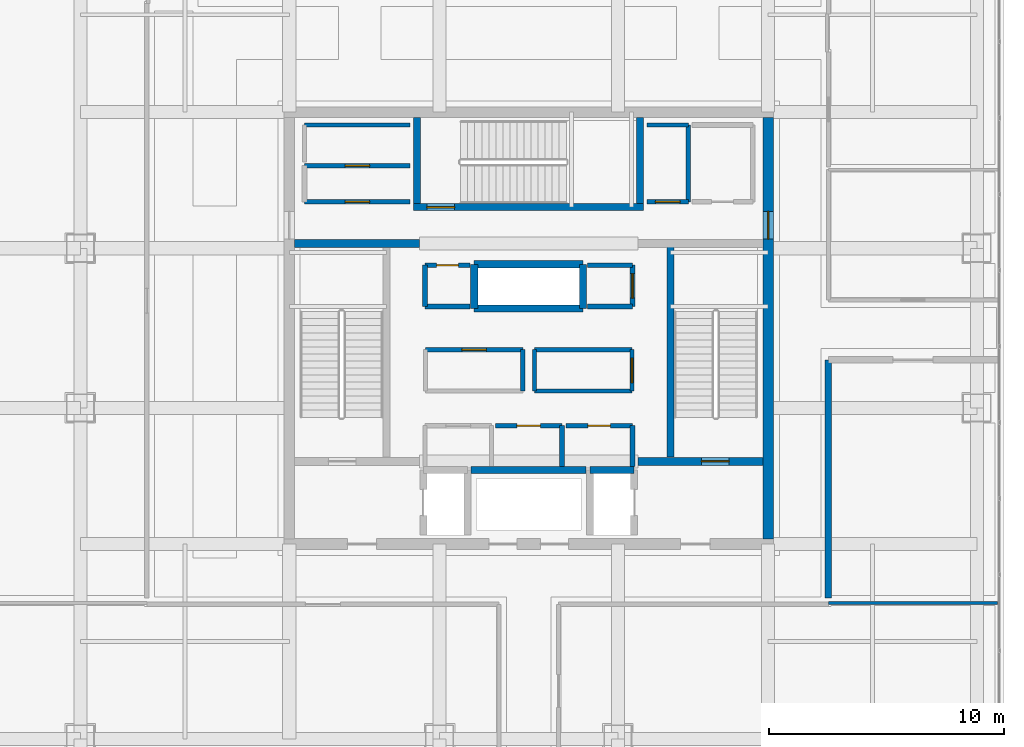
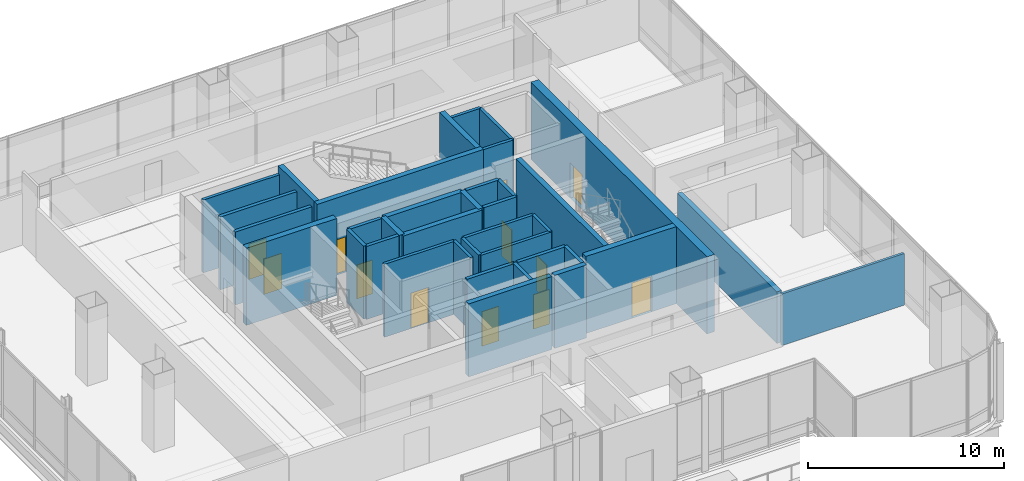
# One storey, part 37 of 44: 37 walls, 12 doors, 12 openings.
"""IFC4 building model written with IfcOpenShell, lengths in metres."""

from ifc_helpers import new_model, si_unit, direction, frame, frame_2d, origin, place, context, subcontext, project, spatial, rectangle, extrude, material, layer, layer_set, type_object, element, fill, save


model = new_model("IFC4")

# Units and contexts
model_context = context("Model", 3, precision=1e-05, world=origin(), true_north=direction((0.0, 1.0)))
body_context = subcontext(model_context, "Body", "Model", "MODEL_VIEW")
ifc_project = project(units=[si_unit("LENGTHUNIT", "METRE"), si_unit("AREAUNIT", "SQUARE_METRE"), si_unit("VOLUMEUNIT", "CUBIC_METRE"), si_unit("PLANEANGLEUNIT", "RADIAN"), si_unit("MASSUNIT", "GRAM", prefix="KILO")], contexts=[model_context])

# Site, building, storey
site_placement = place(None, origin())
site = spatial("IfcSite", under=ifc_project, at=site_placement, CompositionType="ELEMENT")
building_placement = place(site_placement, origin())
building = spatial("IfcBuilding", under=site, at=building_placement, Name="Punatoya Terracotta Tower", CompositionType="ELEMENT")
storey_placement = place(building_placement, frame((0.0, 0.0, 334.199951171875)))
storey = spatial("IfcBuildingStorey", under=building, at=storey_placement, Name="L79", CompositionType="ELEMENT", Elevation=334.199951171875)

# Wall
ifc_material_1 = material(Name="Concrete C40/50", Category="concrete")
ifc_layer_1 = layer(ifc_material_1, 0.280029296875)
ifc_layer_set_1 = layer_set([ifc_layer_1], Name="Concrete C40/50")
wall_type_1 = type_object("IfcWallType", Name="WL-AUD-280", PredefinedType="SOLIDWALL", material=ifc_layer_set_1)
wall_1_placement = place(storey_placement, frame((12.77001953125, -11.489990234375, 0.0), z_axis=(0.0, 0.0, 1.0), x_axis=(0.0, 1.0, 0.0)))
element("IfcWall", 1, at=wall_1_placement, inside=storey, type_object=wall_type_1, Name="L79 Open-Plan Visitors' Sky Cafe and Bistro Partition 40", PredefinedType="SOLIDWALL", context=body_context, shape_type="SweptSolid", body=[
    extrude(rectangle(XDim=10.139892578125, YDim=0.280029296875, at=frame_2d((5.06982421875, 0.0))), origin(), (0.0, 0.0, 1.0), 3.214111328125),
])

# Wall, opening, door
ifc_material_2 = material(Name="Concrete C50/60", Category="concrete")
ifc_layer_2 = layer(ifc_material_2, 0.449951171875)
ifc_layer_set_2 = layer_set([ifc_layer_2], Name="Concrete C50/60")
wall_type_2 = type_object("IfcWallType", Name="WL-COR-450", PredefinedType="SHEAR", material=ifc_layer_set_2)
wall_2_placement = place(storey_placement, frame((10.199951171875, 8.97509765625, 0.0), z_axis=(0.0, 0.0, 1.0), x_axis=(0.0, -1.0, 0.0)))
wall_2 = element("IfcWall", 2, at=wall_2_placement, inside=storey, type_object=wall_type_2, Name="L79 Core Shear Wall E", PredefinedType="SHEAR", context=body_context, shape_type="SweptSolid", body=[
    extrude(rectangle(XDim=17.9501953125, YDim=0.449951171875, at=frame_2d((8.97509765625, 0.0))), origin(), (0.0, 0.0, 1.0), 4.800048828125),
])
opening_1_placement = place(wall_2_placement, frame((4.0048828125, 0.0, 0.0)))
opening_1 = element("IfcOpeningElement", 3, at=opening_1_placement, cuts=wall_2, Name="Opening SD-01", PredefinedType="OPENING", context=body_context, shape_type="SweptSolid", body=[
    extrude(rectangle(XDim=1.179931640625, YDim=2.199951171875, at=frame_2d((0.58984375, 1.10009765625))), frame((0.0, 0.23486328125, 0.0), z_axis=(0.0, -1.0, 0.0), x_axis=(1.0, 0.0, 0.0)), (0.0, 0.0, 1.0), 0.469970703125),
])
ifc_material_3 = material(Name="Galvanised Steel Pressurized Stair Fire Door", Category="steel")
door_type_1 = type_object("IfcDoorType", Name="DR-STR-1180", OperationType="NOTDEFINED", PredefinedType="DOOR", material=ifc_material_3)
door_1_placement = place(opening_1_placement, origin())
door_1 = element("IfcDoor", 4, at=door_1_placement, inside=storey, type_object=door_type_1, Name="L79 Central Lift Lobby East Fire Door", OperationType="SINGLE_SWING_RIGHT", OverallHeight=2.199951171875, OverallWidth=1.179931640625, PredefinedType="DOOR", context=body_context, shape_type="SweptSolid", body=[
    extrude(rectangle(XDim=1.179931640625, YDim=2.199951171875, at=frame_2d((0.58984375, 1.10009765625))), frame((0.0, 0.02490234375, 0.0), z_axis=(0.0, -1.0, 0.0), x_axis=(1.0, 0.0, 0.0)), (0.0, 0.0, 1.0), 0.050048828125),
])
fill(opening_1, door_1)

# Wall
ifc_material_4 = material(Name="Gypsum Fireboard + Steel Stud", Category="steel")
ifc_layer_3 = layer(ifc_material_4, 0.179931640625)
ifc_layer_set_3 = layer_set([ifc_layer_3], Name="Gypsum Fireboard + Steel Stud")
wall_type_3 = type_object("IfcWallType", Name="WL-CORR-180", PredefinedType="PARTITIONING", material=ifc_layer_set_3)
wall_3_placement = place(storey_placement, frame((-0.25, -2.679931640625, 0.0), z_axis=(0.0, 0.0, 1.0), x_axis=(0.0, 1.0, 0.0)))
element("IfcWall", 5, at=wall_3_placement, inside=storey, type_object=wall_type_3, Name="L79 West Core Focus Pod Partition 08", PredefinedType="PARTITIONING", context=body_context, shape_type="SweptSolid", body=[
    extrude(rectangle(XDim=1.760009765625, YDim=0.179931640625, at=frame_2d((0.8798828125, 0.0))), origin(), (0.0, 0.0, 1.0), 4.5400390625),
])

# Wall, opening, door
wall_4_placement = place(storey_placement, frame((-0.25, -0.919921875, 0.0), z_axis=(0.0, 0.0, 1.0), x_axis=(-1.0, 0.0, 0.0)))
wall_4 = element("IfcWall", 6, at=wall_4_placement, inside=storey, type_object=wall_type_3, Name="L79 West Core Focus Pod Partition 09", PredefinedType="PARTITIONING", context=body_context, shape_type="SweptSolid", body=[
    extrude(rectangle(XDim=4.14990234375, YDim=0.179931640625, at=frame_2d((2.074951171875, 0.0))), origin(), (0.0, 0.0, 1.0), 4.5400390625),
])
opening_2_placement = place(wall_4_placement, frame((1.550048828125, 0.0, 0.0)))
opening_2 = element("IfcOpeningElement", 7, at=opening_2_placement, cuts=wall_4, Name="Opening OD-01", PredefinedType="OPENING", context=body_context, shape_type="SweptSolid", body=[
    extrude(rectangle(XDim=1.050048828125, YDim=2.199951171875, at=frame_2d((0.52490234375, 1.10009765625))), frame((0.0, 0.099853515625, 0.0), z_axis=(0.0, -1.0, 0.0), x_axis=(1.0, 0.0, 0.0)), (0.0, 0.0, 1.0), 0.199951171875),
])
ifc_material_5 = material(Name="Bengal Teak Solid-Core Leaf")
door_type_2 = type_object("IfcDoorType", Name="DR-OFF-1050", OperationType="NOTDEFINED", PredefinedType="DOOR", material=ifc_material_5)
door_2_placement = place(opening_2_placement, origin())
door_2 = element("IfcDoor", 8, at=door_2_placement, inside=storey, type_object=door_type_2, Name="L79 West Focus Pod Door", OperationType="SINGLE_SWING_RIGHT", OverallHeight=2.199951171875, OverallWidth=1.050048828125, PredefinedType="DOOR", context=body_context, shape_type="SweptSolid", body=[
    extrude(rectangle(XDim=1.050048828125, YDim=2.199951171875, at=frame_2d((0.52490234375, 1.10009765625))), frame((0.0, 0.02490234375, 0.0), z_axis=(0.0, -1.0, 0.0), x_axis=(1.0, 0.0, 0.0)), (0.0, 0.0, 1.0), 0.050048828125),
])
fill(opening_2, door_2)

wall_5_placement = place(storey_placement, frame((4.39990234375, -2.679931640625, 0.0), z_axis=(0.0, 0.0, 1.0), x_axis=(0.0, 1.0, 0.0)))
wall_5 = element("IfcWall", 9, at=wall_5_placement, inside=storey, type_object=wall_type_3, Name="L79 East Core Wellness Room Partition 12", PredefinedType="PARTITIONING", context=body_context, shape_type="SweptSolid", body=[
    extrude(rectangle(XDim=1.760009765625, YDim=0.179931640625, at=frame_2d((0.8798828125, 0.0))), origin(), (0.0, 0.0, 1.0), 4.5400390625),
])
opening_3_placement = place(wall_5_placement, frame((0.35498046875, 0.0, 0.0)))
opening_3 = element("IfcOpeningElement", 10, at=opening_3_placement, cuts=wall_5, Name="Opening OD-01", PredefinedType="OPENING", context=body_context, shape_type="SweptSolid", body=[
    extrude(rectangle(XDim=1.050048828125, YDim=2.199951171875, at=frame_2d((0.52490234375, 1.10009765625))), frame((0.0, 0.099853515625, 0.0), z_axis=(0.0, -1.0, 0.0), x_axis=(1.0, 0.0, 0.0)), (0.0, 0.0, 1.0), 0.199951171875),
])
door_3_placement = place(opening_3_placement, origin())
door_3 = element("IfcDoor", 11, at=door_3_placement, inside=storey, type_object=door_type_2, Name="L79 East Wellness Room Door", OperationType="SINGLE_SWING_LEFT", OverallHeight=2.199951171875, OverallWidth=1.050048828125, PredefinedType="DOOR", context=body_context, shape_type="SweptSolid", body=[
    extrude(rectangle(XDim=1.050048828125, YDim=2.199951171875, at=frame_2d((0.52490234375, 1.10009765625))), frame((0.0, 0.02490234375, 0.0), z_axis=(0.0, -1.0, 0.0), x_axis=(1.0, 0.0, 0.0)), (0.0, 0.0, 1.0), 0.050048828125),
])
fill(opening_3, door_3)

# Walls
wall_6_placement = place(storey_placement, frame((4.39990234375, -0.919921875, 0.0), z_axis=(0.0, 0.0, 1.0), x_axis=(-1.0, 0.0, 0.0)))
element("IfcWall", 12, at=wall_6_placement, inside=storey, type_object=wall_type_3, Name="L79 East Core Wellness Room Partition 13", PredefinedType="PARTITIONING", context=body_context, shape_type="SweptSolid", body=[
    extrude(rectangle(XDim=4.14990234375, YDim=0.179931640625, at=frame_2d((2.074951171875, 0.0))), origin(), (0.0, 0.0, 1.0), 4.5400390625),
])
wall_7_placement = place(storey_placement, frame((0.25, -0.919921875, 0.0), z_axis=(0.0, 0.0, 1.0), x_axis=(0.0, -1.0, 0.0)))
element("IfcWall", 13, at=wall_7_placement, inside=storey, type_object=wall_type_3, Name="L79 East Core Wellness Room Partition 14", PredefinedType="PARTITIONING", context=body_context, shape_type="SweptSolid", body=[
    extrude(rectangle(XDim=1.760009765625, YDim=0.179931640625, at=frame_2d((0.8798828125, 0.0))), origin(), (0.0, 0.0, 1.0), 4.5400390625),
])
wall_8_placement = place(storey_placement, frame((0.25, -2.679931640625, 0.0), z_axis=(0.0, 0.0, 1.0), x_axis=(1.0, 0.0, 0.0)))
element("IfcWall", 14, at=wall_8_placement, inside=storey, type_object=wall_type_3, Name="L79 East Core Wellness Room Partition 15", PredefinedType="PARTITIONING", context=body_context, shape_type="SweptSolid", body=[
    extrude(rectangle(XDim=4.14990234375, YDim=0.179931640625, at=frame_2d((2.074951171875, 0.0))), origin(), (0.0, 0.0, 1.0), 4.5400390625),
])
wall_9_placement = place(storey_placement, frame((-5.050048828125, 8.64990234375, 0.0), z_axis=(0.0, 0.0, 1.0), x_axis=(-1.0, 0.0, 0.0)))
element("IfcWall", 15, at=wall_9_placement, inside=storey, type_object=wall_type_3, Name="L79 West Core Copy Room Partition 25", PredefinedType="PARTITIONING", context=body_context, shape_type="SweptSolid", body=[
    extrude(rectangle(XDim=4.5, YDim=0.179931640625, at=frame_2d((2.25, 0.0))), origin(), (0.0, 0.0, 1.0), 4.5400390625),
])
wall_10_placement = place(storey_placement, frame((6.800048828125, 5.3798828125, 0.0), z_axis=(0.0, 0.0, 1.0), x_axis=(0.0, 1.0, 0.0)))
element("IfcWall", 16, at=wall_10_placement, inside=storey, type_object=wall_type_3, Name="L79 East Core Focus Office Partition 27", PredefinedType="PARTITIONING", context=body_context, shape_type="SweptSolid", body=[
    extrude(rectangle(XDim=3.27001953125, YDim=0.179931640625, at=frame_2d((1.635009765625, 0.0))), origin(), (0.0, 0.0, 1.0), 4.5400390625),
])
wall_11_placement = place(storey_placement, frame((6.800048828125, 8.64990234375, 0.0), z_axis=(0.0, 0.0, 1.0), x_axis=(-1.0, 0.0, 0.0)))
element("IfcWall", 17, at=wall_11_placement, inside=storey, type_object=wall_type_3, Name="L79 East Core Focus Office Partition 28", PredefinedType="PARTITIONING", context=body_context, shape_type="SweptSolid", body=[
    extrude(rectangle(XDim=1.75, YDim=0.179931640625, at=frame_2d((0.875, 0.0))), origin(), (0.0, 0.0, 1.0), 4.5400390625),
])

# Wall, opening, door
wall_12_placement = place(storey_placement, frame((5.050048828125, 5.3798828125, 0.0), z_axis=(0.0, 0.0, 1.0), x_axis=(1.0, 0.0, 0.0)))
wall_12 = element("IfcWall", 18, at=wall_12_placement, inside=storey, type_object=wall_type_3, Name="L79 East Core Focus Office Partition 29", PredefinedType="PARTITIONING", context=body_context, shape_type="SweptSolid", body=[
    extrude(rectangle(XDim=1.75, YDim=0.179931640625, at=frame_2d((0.875, 0.0))), origin(), (0.0, 0.0, 1.0), 4.5400390625),
])
opening_4_placement = place(wall_12_placement, frame((0.35009765625, 0.0, 0.0)))
opening_4 = element("IfcOpeningElement", 19, at=opening_4_placement, cuts=wall_12, Name="Opening OD-01", PredefinedType="OPENING", context=body_context, shape_type="SweptSolid", body=[
    extrude(rectangle(XDim=1.050048828125, YDim=2.199951171875, at=frame_2d((0.52490234375, 1.10009765625))), frame((0.0, 0.099853515625, 0.0), z_axis=(0.0, -1.0, 0.0), x_axis=(1.0, 0.0, 0.0)), (0.0, 0.0, 1.0), 0.199951171875),
])
door_4_placement = place(opening_4_placement, origin())
door_4 = element("IfcDoor", 20, at=door_4_placement, inside=storey, type_object=door_type_2, Name="L79 East Focus Office Door", OperationType="SINGLE_SWING_RIGHT", OverallHeight=2.199951171875, OverallWidth=1.050048828125, PredefinedType="DOOR", context=body_context, shape_type="SweptSolid", body=[
    extrude(rectangle(XDim=1.050048828125, YDim=2.199951171875, at=frame_2d((0.52490234375, 1.10009765625))), frame((0.0, 0.02490234375, 0.0), z_axis=(0.0, -1.0, 0.0), x_axis=(1.0, 0.0, 0.0)), (0.0, 0.0, 1.0), 0.050048828125),
])
fill(opening_4, door_4)

# Wall
ifc_layer_4 = layer(ifc_material_1, 0.199951171875)
ifc_layer_set_4 = layer_set([ifc_layer_4], Name="Concrete C40/50")
wall_type_4 = type_object("IfcWallType", Name="WL-INT-200", PredefinedType="SOLIDWALL", material=ifc_layer_set_4)
wall_13_placement = place(storey_placement, frame((1.419921875, -5.89990234375, 0.0), z_axis=(0.0, 0.0, 1.0), x_axis=(0.0, 1.0, 0.0)))
element("IfcWall", 21, at=wall_13_placement, inside=storey, type_object=wall_type_4, Name="L79 Accessible Universal Washroom Partition 04", PredefinedType="SOLIDWALL", context=body_context, shape_type="SweptSolid", body=[
    extrude(rectangle(XDim=1.739990234375, YDim=0.199951171875, at=frame_2d((0.8701171875, 0.0))), origin(), (0.0, 0.0, 1.0), 4.5400390625),
])

# Wall, opening, door
wall_14_placement = place(storey_placement, frame((1.419921875, -4.159912109375, 0.0), z_axis=(0.0, 0.0, 1.0), x_axis=(-1.0, 0.0, 0.0)))
wall_14 = element("IfcWall", 22, at=wall_14_placement, inside=storey, type_object=wall_type_4, Name="L79 Accessible Universal Washroom Partition 05", PredefinedType="SOLIDWALL", context=body_context, shape_type="SweptSolid", body=[
    extrude(rectangle(XDim=2.83984375, YDim=0.199951171875, at=frame_2d((1.419921875, 0.0))), origin(), (0.0, 0.0, 1.0), 4.5400390625),
])
opening_5_placement = place(wall_14_placement, frame((0.919921875, 0.0, 0.0)))
opening_5 = element("IfcOpeningElement", 23, at=opening_5_placement, cuts=wall_14, Name="Opening AWD-1", PredefinedType="OPENING", context=body_context, shape_type="SweptSolid", body=[
    extrude(rectangle(XDim=1.0, YDim=2.14990234375, at=frame_2d((0.5, 1.074951171875))), frame((0.0, 0.10986328125, 0.0), z_axis=(0.0, -1.0, 0.0), x_axis=(1.0, 0.0, 0.0)), (0.0, 0.0, 1.0), 0.219970703125),
])
ifc_material_6 = material(Name="Bengal Teak Accessible WC Leaf")
door_type_3 = type_object("IfcDoorType", Name="DR-ACC-1000", OperationType="NOTDEFINED", PredefinedType="DOOR", material=ifc_material_6)
door_5_placement = place(opening_5_placement, origin())
door_5 = element("IfcDoor", 24, at=door_5_placement, inside=storey, type_object=door_type_3, Name="L79 Accessible Universal Washroom Door", OperationType="SINGLE_SWING_RIGHT", OverallHeight=2.14990234375, OverallWidth=1.0, PredefinedType="DOOR", context=body_context, shape_type="SweptSolid", body=[
    extrude(rectangle(XDim=1.0, YDim=2.14990234375, at=frame_2d((0.5, 1.074951171875))), frame((0.0, 0.02490234375, 0.0), z_axis=(0.0, -1.0, 0.0), x_axis=(1.0, 0.0, 0.0)), (0.0, 0.0, 1.0), 0.050048828125),
])
fill(opening_5, door_5)

# Wall
wall_15_placement = place(storey_placement, frame((4.419921875, -5.89990234375, 0.0), z_axis=(0.0, 0.0, 1.0), x_axis=(0.0, 1.0, 0.0)))
element("IfcWall", 25, at=wall_15_placement, inside=storey, type_object=wall_type_4, Name="L79 All-Gender Washroom Partition 06", PredefinedType="SOLIDWALL", context=body_context, shape_type="SweptSolid", body=[
    extrude(rectangle(XDim=1.739990234375, YDim=0.199951171875, at=frame_2d((0.8701171875, 0.0))), origin(), (0.0, 0.0, 1.0), 4.5400390625),
])

# Wall, opening, door
wall_16_placement = place(storey_placement, frame((4.419921875, -4.159912109375, 0.0), z_axis=(0.0, 0.0, 1.0), x_axis=(-1.0, 0.0, 0.0)))
wall_16 = element("IfcWall", 26, at=wall_16_placement, inside=storey, type_object=wall_type_4, Name="L79 All-Gender Washroom Partition 07", PredefinedType="SOLIDWALL", context=body_context, shape_type="SweptSolid", body=[
    extrude(rectangle(XDim=2.83984375, YDim=0.199951171875, at=frame_2d((1.419921875, 0.0))), origin(), (0.0, 0.0, 1.0), 4.5400390625),
])
opening_6_placement = place(wall_16_placement, frame((0.945068359375, 0.0, 0.0)))
opening_6 = element("IfcOpeningElement", 27, at=opening_6_placement, cuts=wall_16, Name="Opening WD-01", PredefinedType="OPENING", context=body_context, shape_type="SweptSolid", body=[
    extrude(rectangle(XDim=0.949951171875, YDim=2.14990234375, at=frame_2d((0.47509765625, 1.074951171875))), frame((0.0, 0.10986328125, 0.0), z_axis=(0.0, -1.0, 0.0), x_axis=(1.0, 0.0, 0.0)), (0.0, 0.0, 1.0), 0.219970703125),
])
ifc_material_7 = material(Name="Moisture-Resistant Laminate Timber Leaf", Category="wood")
door_type_4 = type_object("IfcDoorType", Name="DR-WC-950", OperationType="NOTDEFINED", PredefinedType="DOOR", material=ifc_material_7)
door_6_placement = place(opening_6_placement, origin())
door_6 = element("IfcDoor", 28, at=door_6_placement, inside=storey, type_object=door_type_4, Name="L79 All-Gender Washroom Door", OperationType="SINGLE_SWING_LEFT", OverallHeight=2.14990234375, OverallWidth=0.949951171875, PredefinedType="DOOR", context=body_context, shape_type="SweptSolid", body=[
    extrude(rectangle(XDim=0.949951171875, YDim=2.14990234375, at=frame_2d((0.47509765625, 1.074951171875))), frame((0.0, 0.02490234375, 0.0), z_axis=(0.0, -1.0, 0.0), x_axis=(1.0, 0.0, 0.0)), (0.0, 0.0, 1.0), 0.050048828125),
])
fill(opening_6, door_6)

wall_17_placement = place(storey_placement, frame((-2.5, 2.679931640625, 0.0), z_axis=(0.0, 0.0, 1.0), x_axis=(-1.0, 0.0, 0.0)))
wall_17 = element("IfcWall", 29, at=wall_17_placement, inside=storey, type_object=wall_type_4, Name="L79 Core Security Equipment Closet Partition 16", PredefinedType="SOLIDWALL", context=body_context, shape_type="SweptSolid", body=[
    extrude(rectangle(XDim=1.919921875, YDim=0.199951171875, at=frame_2d((0.9599609375, 0.0))), origin(), (0.0, 0.0, 1.0), 4.5400390625),
])
opening_7_placement = place(wall_17_placement, frame((0.5, 0.0, 0.0)))
opening_7 = element("IfcOpeningElement", 30, at=opening_7_placement, cuts=wall_17, Name="Opening FD-R1", PredefinedType="OPENING", context=body_context, shape_type="SweptSolid", body=[
    extrude(rectangle(XDim=0.919921875, YDim=2.10009765625, at=frame_2d((0.4599609375, 1.050048828125))), frame((0.0, 0.10986328125, 0.0), z_axis=(0.0, -1.0, 0.0), x_axis=(1.0, 0.0, 0.0)), (0.0, 0.0, 1.0), 0.219970703125),
])
ifc_material_8 = material(Name="Galvanised Steel Riser Fire Access Door", Category="steel")
door_type_5 = type_object("IfcDoorType", Name="DR-RSR-920", OperationType="NOTDEFINED", PredefinedType="DOOR", material=ifc_material_8)
door_7_placement = place(opening_7_placement, origin())
door_7 = element("IfcDoor", 31, at=door_7_placement, inside=storey, type_object=door_type_5, Name="L79 Core Security Equipment Closet Fire Door", OperationType="SINGLE_SWING_RIGHT", OverallHeight=2.10009765625, OverallWidth=0.919921875, PredefinedType="DOOR", context=body_context, shape_type="SweptSolid", body=[
    extrude(rectangle(XDim=0.919921875, YDim=2.10009765625, at=frame_2d((0.4599609375, 1.050048828125))), frame((0.0, 0.02490234375, 0.0), z_axis=(0.0, -1.0, 0.0), x_axis=(1.0, 0.0, 0.0)), (0.0, 0.0, 1.0), 0.050048828125),
])
fill(opening_7, door_7)

# Walls
wall_18_placement = place(storey_placement, frame((-4.419921875, 2.679931640625, 0.0), z_axis=(0.0, 0.0, 1.0), x_axis=(0.0, -1.0, 0.0)))
element("IfcWall", 32, at=wall_18_placement, inside=storey, type_object=wall_type_4, Name="L79 Core Security Equipment Closet Partition 17", PredefinedType="SOLIDWALL", context=body_context, shape_type="SweptSolid", body=[
    extrude(rectangle(XDim=1.760009765625, YDim=0.199951171875, at=frame_2d((0.8798828125, 0.0))), origin(), (0.0, 0.0, 1.0), 4.5400390625),
])
wall_19_placement = place(storey_placement, frame((-4.419921875, 0.919921875, 0.0), z_axis=(0.0, 0.0, 1.0), x_axis=(1.0, 0.0, 0.0)))
element("IfcWall", 33, at=wall_19_placement, inside=storey, type_object=wall_type_4, Name="L79 Core Security Equipment Closet Partition 18", PredefinedType="SOLIDWALL", context=body_context, shape_type="SweptSolid", body=[
    extrude(rectangle(XDim=1.919921875, YDim=0.199951171875, at=frame_2d((0.9599609375, 0.0))), origin(), (0.0, 0.0, 1.0), 4.5400390625),
])

# Wall, opening, door
wall_20_placement = place(storey_placement, frame((4.419921875, 0.919921875, 0.0), z_axis=(0.0, 0.0, 1.0), x_axis=(0.0, 1.0, 0.0)))
wall_20 = element("IfcWall", 34, at=wall_20_placement, inside=storey, type_object=wall_type_4, Name="L79 Executive Steward Pantry Partition 19", PredefinedType="SOLIDWALL", context=body_context, shape_type="SweptSolid", body=[
    extrude(rectangle(XDim=1.760009765625, YDim=0.199951171875, at=frame_2d((0.8798828125, 0.0))), origin(), (0.0, 0.0, 1.0), 4.5400390625),
])
opening_8_placement = place(wall_20_placement, frame((0.35498046875, 0.0, 0.0)))
opening_8 = element("IfcOpeningElement", 35, at=opening_8_placement, cuts=wall_20, Name="Opening OD-01", PredefinedType="OPENING", context=body_context, shape_type="SweptSolid", body=[
    extrude(rectangle(XDim=1.050048828125, YDim=2.199951171875, at=frame_2d((0.52490234375, 1.10009765625))), frame((0.0, 0.10986328125, 0.0), z_axis=(0.0, -1.0, 0.0), x_axis=(1.0, 0.0, 0.0)), (0.0, 0.0, 1.0), 0.219970703125),
])
door_8_placement = place(opening_8_placement, origin())
door_8 = element("IfcDoor", 36, at=door_8_placement, inside=storey, type_object=door_type_2, Name="L79 Executive Steward Pantry Door", OperationType="SINGLE_SWING_LEFT", OverallHeight=2.199951171875, OverallWidth=1.050048828125, PredefinedType="DOOR", context=body_context, shape_type="SweptSolid", body=[
    extrude(rectangle(XDim=1.050048828125, YDim=2.199951171875, at=frame_2d((0.52490234375, 1.10009765625))), frame((0.0, 0.02490234375, 0.0), z_axis=(0.0, -1.0, 0.0), x_axis=(1.0, 0.0, 0.0)), (0.0, 0.0, 1.0), 0.050048828125),
])
fill(opening_8, door_8)

# Walls
for number, where, z_axis, x_axis, name in (
    (37, (4.419921875, 2.679931640625, 0.0), (0.0, 0.0, 1.0), (-1.0, 0.0, 0.0), "L79 Executive Steward Pantry Partition 20"),
    (38, (2.5, 0.919921875, 0.0), (0.0, 0.0, 1.0), (1.0, 0.0, 0.0), "L79 Executive Steward Pantry Partition 21"),
):
    element("IfcWall", number, at=place(storey_placement, frame(where, z_axis=z_axis, x_axis=x_axis)), inside=storey, type_object=wall_type_4, Name=name, PredefinedType="SOLIDWALL", context=body_context, shape_type="SweptSolid", body=[
        extrude(rectangle(XDim=1.919921875, YDim=0.199951171875, at=frame_2d((0.9599609375, 0.0))), origin(), (0.0, 0.0, 1.0), 4.5400390625),
    ])

# Wall, opening, door
wall_21_placement = place(storey_placement, frame((-5.050048828125, 6.919921875, 0.0), z_axis=(0.0, 0.0, 1.0), x_axis=(-1.0, 0.0, 0.0)))
wall_21 = element("IfcWall", 39, at=wall_21_placement, inside=storey, type_object=wall_type_4, Name="L79 West Core Tea Pantry Partition 22", PredefinedType="SOLIDWALL", context=body_context, shape_type="SweptSolid", body=[
    extrude(rectangle(XDim=4.5, YDim=0.199951171875, at=frame_2d((2.25, 0.0))), origin(), (0.0, 0.0, 1.0), 4.5400390625),
])
opening_9_placement = place(wall_21_placement, frame((1.72509765625, 0.0, 0.0)))
opening_9 = element("IfcOpeningElement", 40, at=opening_9_placement, cuts=wall_21, Name="Opening OD-01", PredefinedType="OPENING", context=body_context, shape_type="SweptSolid", body=[
    extrude(rectangle(XDim=1.050048828125, YDim=2.199951171875, at=frame_2d((0.52490234375, 1.10009765625))), frame((0.0, 0.10986328125, 0.0), z_axis=(0.0, -1.0, 0.0), x_axis=(1.0, 0.0, 0.0)), (0.0, 0.0, 1.0), 0.219970703125),
])
door_9_placement = place(opening_9_placement, origin())
door_9 = element("IfcDoor", 41, at=door_9_placement, inside=storey, type_object=door_type_2, Name="L79 West Copy Room Door", OperationType="SINGLE_SWING_LEFT", OverallHeight=2.199951171875, OverallWidth=1.050048828125, PredefinedType="DOOR", context=body_context, shape_type="SweptSolid", body=[
    extrude(rectangle(XDim=1.050048828125, YDim=2.199951171875, at=frame_2d((0.52490234375, 1.10009765625))), frame((0.0, 0.02490234375, 0.0), z_axis=(0.0, -1.0, 0.0), x_axis=(1.0, 0.0, 0.0)), (0.0, 0.0, 1.0), 0.050048828125),
])
fill(opening_9, door_9)

wall_22_placement = place(storey_placement, frame((-9.550048828125, 5.3798828125, 0.0), z_axis=(0.0, 0.0, 1.0), x_axis=(1.0, 0.0, 0.0)))
wall_22 = element("IfcWall", 42, at=wall_22_placement, inside=storey, type_object=wall_type_4, Name="L79 West Core Tea Pantry Partition 24", PredefinedType="SOLIDWALL", context=body_context, shape_type="SweptSolid", body=[
    extrude(rectangle(XDim=4.5, YDim=0.199951171875, at=frame_2d((2.25, 0.0))), origin(), (0.0, 0.0, 1.0), 4.5400390625),
])
opening_10_placement = place(wall_22_placement, frame((1.72509765625, 0.0, 0.0)))
opening_10 = element("IfcOpeningElement", 43, at=opening_10_placement, cuts=wall_22, Name="Opening OD-01", PredefinedType="OPENING", context=body_context, shape_type="SweptSolid", body=[
    extrude(rectangle(XDim=1.050048828125, YDim=2.199951171875, at=frame_2d((0.52490234375, 1.10009765625))), frame((0.0, 0.10986328125, 0.0), z_axis=(0.0, -1.0, 0.0), x_axis=(1.0, 0.0, 0.0)), (0.0, 0.0, 1.0), 0.219970703125),
])
door_10_placement = place(opening_10_placement, origin())
door_10 = element("IfcDoor", 44, at=door_10_placement, inside=storey, type_object=door_type_2, Name="L79 West Tea Pantry Door", OperationType="SINGLE_SWING_RIGHT", OverallHeight=2.199951171875, OverallWidth=1.050048828125, PredefinedType="DOOR", context=body_context, shape_type="SweptSolid", body=[
    extrude(rectangle(XDim=1.050048828125, YDim=2.199951171875, at=frame_2d((0.52490234375, 1.10009765625))), frame((0.0, 0.02490234375, 0.0), z_axis=(0.0, -1.0, 0.0), x_axis=(1.0, 0.0, 0.0)), (0.0, 0.0, 1.0), 0.050048828125),
])
fill(opening_10, door_10)

# Walls
ifc_material_9 = material(Name="Acoustic Gypsum + Steel Stud", Category="steel")
ifc_layer_5 = layer(ifc_material_9, 0.139892578125)
ifc_layer_set_5 = layer_set([ifc_layer_5], Name="Acoustic Gypsum + Steel Stud")
wall_type_5 = type_object("IfcWallType", Name="WL-OFF-140", PredefinedType="PARTITIONING", material=ifc_layer_set_5)
wall_23_placement = place(storey_placement, frame((12.77001953125, -11.7099609375, 0.0), z_axis=(0.0, 0.0, 1.0), x_axis=(1.0, 0.0, 0.0)))
element("IfcWall", 45, at=wall_23_placement, inside=storey, type_object=wall_type_5, Name="L79 Heritage Collections Curatorial Study Partition 38", PredefinedType="PARTITIONING", context=body_context, shape_type="SweptSolid", body=[
    extrude(rectangle(XDim=7.199951171875, YDim=0.139892578125, at=frame_2d((3.60009765625, 0.0))), origin(), (0.0, 0.0, 1.0), 3.214111328125),
])
ifc_layer_6 = layer(ifc_material_1, 0.300048828125)
ifc_layer_set_6 = layer_set([ifc_layer_6], Name="Concrete C40/50")
wall_type_6 = type_object("IfcWallType", Name="WL-SHF-300", PredefinedType="SOLIDWALL", material=ifc_layer_set_6)
wall_24_placement = place(storey_placement, frame((6.050048828125, 3.449951171875, 0.0), z_axis=(0.0, 0.0, 1.0), x_axis=(0.0, -1.0, 0.0)))
element("IfcWall", 46, at=wall_24_placement, inside=storey, type_object=wall_type_6, Name="L79 Structural Stair Shaft Wall SW-ST2-W", PredefinedType="SOLIDWALL", context=body_context, shape_type="SweptSolid", body=[
    extrude(rectangle(XDim=8.949951171875, YDim=0.300048828125, at=frame_2d((4.47509765625, 0.0))), origin(), (0.0, 0.0, 1.0), 4.800048828125),
])
for number, where, z_axis, x_axis, name in (
    (47, (-4.75, 5.300048828125, 0.0), (0.0, 0.0, 1.0), (0.0, 1.0, 0.0), "L79 Structural Stair Shaft Wall SW-ST3-W"),
    (48, (4.75, 8.97509765625, 0.0), (0.0, 0.0, 1.0), (0.0, -1.0, 0.0), "L79 Structural Stair Shaft Wall SW-ST3-E"),
):
    element("IfcWall", number, at=place(storey_placement, frame(where, z_axis=z_axis, x_axis=x_axis)), inside=storey, type_object=wall_type_6, Name=name, PredefinedType="SOLIDWALL", context=body_context, shape_type="SweptSolid", body=[
        extrude(rectangle(XDim=3.675048828125, YDim=0.300048828125, at=frame_2d((1.83740234375, 0.0))), origin(), (0.0, 0.0, 1.0), 4.800048828125),
    ])

# Wall, opening, door
wall_25_placement = place(storey_placement, frame((-4.89990234375, 5.14990234375, 0.0), z_axis=(0.0, 0.0, 1.0), x_axis=(1.0, 0.0, 0.0)))
wall_25 = element("IfcWall", 49, at=wall_25_placement, inside=storey, type_object=wall_type_6, Name="L79 Structural Stair Shaft Wall SW-ST3-S", PredefinedType="SOLIDWALL", context=body_context, shape_type="SweptSolid", body=[
    extrude(rectangle(XDim=9.7998046875, YDim=0.300048828125, at=frame_2d((4.89990234375, 0.0))), origin(), (0.0, 0.0, 1.0), 4.800048828125),
])
opening_11_placement = place(wall_25_placement, frame((0.56005859375, 0.0, 0.0)))
opening_11 = element("IfcOpeningElement", 50, at=opening_11_placement, cuts=wall_25, Name="Opening SD-01", PredefinedType="OPENING", context=body_context, shape_type="SweptSolid", body=[
    extrude(rectangle(XDim=1.179931640625, YDim=2.199951171875, at=frame_2d((0.58984375, 1.10009765625))), frame((0.0, 0.159912109375, 0.0), z_axis=(0.0, -1.0, 0.0), x_axis=(1.0, 0.0, 0.0)), (0.0, 0.0, 1.0), 0.320068359375),
])
door_11_placement = place(opening_11_placement, origin())
door_11 = element("IfcDoor", 51, at=door_11_placement, inside=storey, type_object=door_type_1, Name="L79 Stair ST-3 Core Lobby Fire Door", OperationType="SINGLE_SWING_LEFT", OverallHeight=2.199951171875, OverallWidth=1.179931640625, PredefinedType="DOOR", context=body_context, shape_type="SweptSolid", body=[
    extrude(rectangle(XDim=1.179931640625, YDim=2.199951171875, at=frame_2d((0.58984375, 1.10009765625))), frame((0.0, 0.02490234375, 0.0), z_axis=(0.0, -1.0, 0.0), x_axis=(1.0, 0.0, 0.0)), (0.0, 0.0, 1.0), 0.050048828125),
])
fill(opening_11, door_11)

# Walls
wall_26_placement = place(storey_placement, frame((2.610107421875, -6.050048828125, 0.0), z_axis=(0.0, 0.0, 1.0), x_axis=(1.0, 0.0, 0.0)))
element("IfcWall", 52, at=wall_26_placement, inside=storey, type_object=wall_type_6, Name="L79 FFL-2 North Hoistway Wall", PredefinedType="SOLIDWALL", context=body_context, shape_type="SweptSolid", body=[
    extrude(rectangle(XDim=1.8798828125, YDim=0.300048828125, at=frame_2d((0.93994140625, 0.0))), origin(), (0.0, 0.0, 1.0), 4.5400390625),
])
for number, where, z_axis, x_axis, name in (
    (53, (-2.320068359375, 0.840087890625, 0.0), (0.0, 0.0, 1.0), (1.0, 0.0, 0.0), "L79 North Lift Bank Front Shaft Wall"),
    (54, (-2.320068359375, 2.719970703125, 0.0), (0.0, 0.0, 1.0), (1.0, 0.0, 0.0), "L79 North Lift Bank Rear Shaft Wall"),
):
    element("IfcWall", number, at=place(storey_placement, frame(where, z_axis=z_axis, x_axis=x_axis)), inside=storey, type_object=wall_type_6, Name=name, PredefinedType="SOLIDWALL", context=body_context, shape_type="SweptSolid", body=[
        extrude(rectangle(XDim=4.64013671875, YDim=0.300048828125, at=frame_2d((2.320068359375, 0.0))), origin(), (0.0, 0.0, 1.0), 4.5400390625),
    ])
for number, where, z_axis, x_axis, name in (
    (55, (-2.320068359375, 0.840087890625, 0.0), (0.0, 0.0, 1.0), (0.0, 1.0, 0.0), "L79 North Lift Bank West End Wall"),
    (56, (2.320068359375, 0.840087890625, 0.0), (0.0, 0.0, 1.0), (0.0, 1.0, 0.0), "L79 North Lift Bank East End Wall"),
):
    element("IfcWall", number, at=place(storey_placement, frame(where, z_axis=z_axis, x_axis=x_axis)), inside=storey, type_object=wall_type_6, Name=name, PredefinedType="SOLIDWALL", context=body_context, shape_type="SweptSolid", body=[
        extrude(rectangle(XDim=1.8798828125, YDim=0.300048828125, at=frame_2d((0.93994140625, 0.0))), origin(), (0.0, 0.0, 1.0), 4.5400390625),
    ])
wall_27_placement = place(storey_placement, frame((-2.449951171875, -6.050048828125, 0.0), z_axis=(0.0, 0.0, 1.0), x_axis=(1.0, 0.0, 0.0)))
element("IfcWall", 57, at=wall_27_placement, inside=storey, type_object=wall_type_6, Name="L79 Observation Shuttle Rear Hoistway Wall", PredefinedType="SOLIDWALL", context=body_context, shape_type="SweptSolid", body=[
    extrude(rectangle(XDim=4.89990234375, YDim=0.300048828125, at=frame_2d((2.449951171875, 0.0))), origin(), (0.0, 0.0, 1.0), 4.5400390625),
])

# Wall, opening, door
ifc_layer_7 = layer(ifc_material_2, 0.35009765625)
ifc_layer_set_7 = layer_set([ifc_layer_7], Name="Concrete C50/60")
wall_type_7 = type_object("IfcWallType", Name="WL-SHF-350", PredefinedType="SOLIDWALL", material=ifc_layer_set_7)
wall_28_placement = place(storey_placement, frame((4.64990234375, -5.679931640625, 0.0), z_axis=(0.0, 0.0, 1.0), x_axis=(1.0, 0.0, 0.0)))
wall_28 = element("IfcWall", 58, at=wall_28_placement, inside=storey, type_object=wall_type_7, Name="L79 Core Web Wall CSW-R", PredefinedType="SOLIDWALL", context=body_context, shape_type="SweptSolid", body=[
    extrude(rectangle(XDim=5.3251953125, YDim=0.35009765625, at=frame_2d((2.66259765625, 0.0))), origin(), (0.0, 0.0, 1.0), 4.800048828125),
])
opening_12_placement = place(wall_28_placement, frame((2.7099609375, 0.0, 0.0)))
opening_12 = element("IfcOpeningElement", 59, at=opening_12_placement, cuts=wall_28, Name="Opening SD-01", PredefinedType="OPENING", context=body_context, shape_type="SweptSolid", body=[
    extrude(rectangle(XDim=1.179931640625, YDim=2.199951171875, at=frame_2d((0.58984375, 1.10009765625))), frame((0.0, 0.18505859375, 0.0), z_axis=(0.0, -1.0, 0.0), x_axis=(1.0, 0.0, 0.0)), (0.0, 0.0, 1.0), 0.3701171875),
])
door_12_placement = place(opening_12_placement, origin())
door_12 = element("IfcDoor", 60, at=door_12_placement, inside=storey, type_object=door_type_1, Name="L79 Stair ST-2 Smokeproof Lobby Fire Door", OperationType="SINGLE_SWING_RIGHT", OverallHeight=2.199951171875, OverallWidth=1.179931640625, PredefinedType="DOOR", context=body_context, shape_type="SweptSolid", body=[
    extrude(rectangle(XDim=1.179931640625, YDim=2.199951171875, at=frame_2d((0.58984375, 1.10009765625))), frame((0.0, 0.02490234375, 0.0), z_axis=(0.0, -1.0, 0.0), x_axis=(1.0, 0.0, 0.0)), (0.0, 0.0, 1.0), 0.050048828125),
])
fill(opening_12, door_12)

# Wall
wall_29_placement = place(storey_placement, frame((-9.97509765625, 3.60009765625, 0.0), z_axis=(0.0, 0.0, 1.0), x_axis=(1.0, 0.0, 0.0)))
element("IfcWall", 61, at=wall_29_placement, inside=storey, type_object=wall_type_7, Name="L79 Core Web Wall CNW-L", PredefinedType="SOLIDWALL", context=body_context, shape_type="SweptSolid", body=[
    extrude(rectangle(XDim=5.3251953125, YDim=0.35009765625, at=frame_2d((2.66259765625, 0.0))), origin(), (0.0, 0.0, 1.0), 4.800048828125),
])

save(model, "model.ifc")
